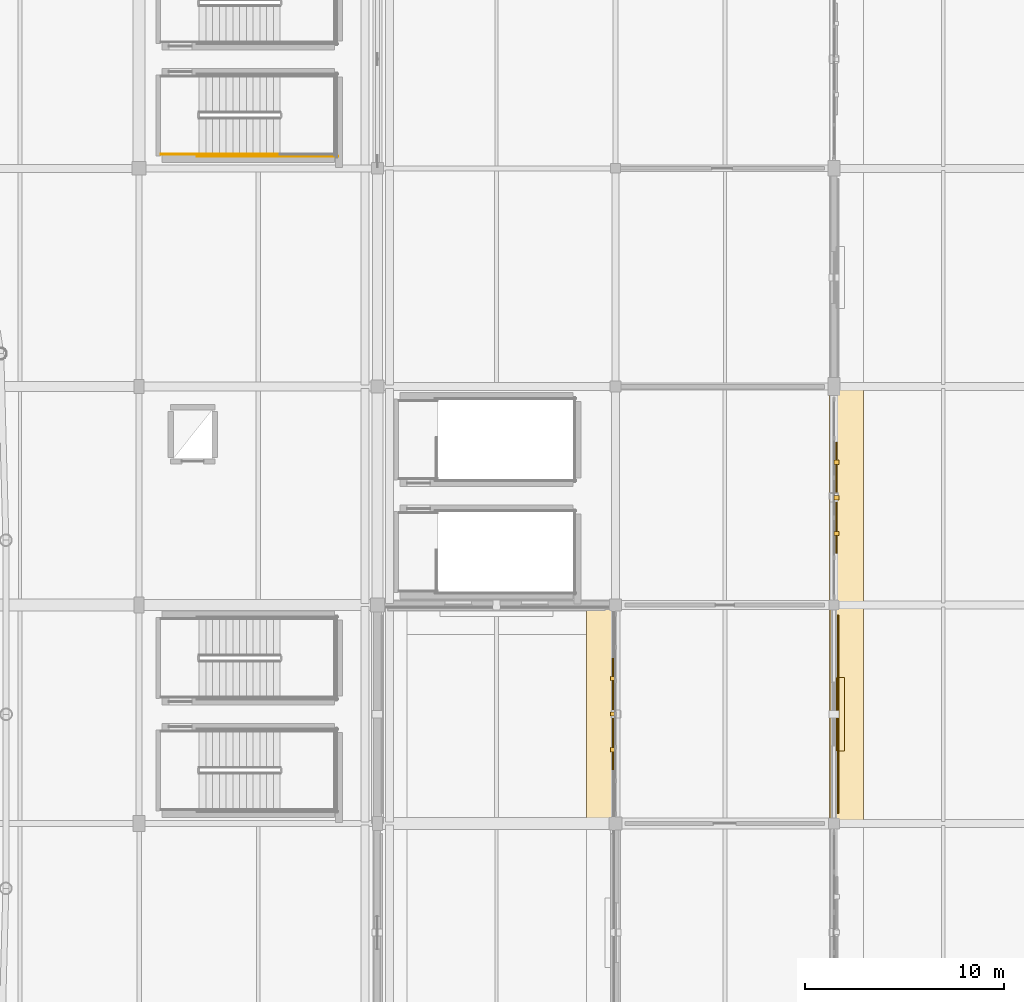
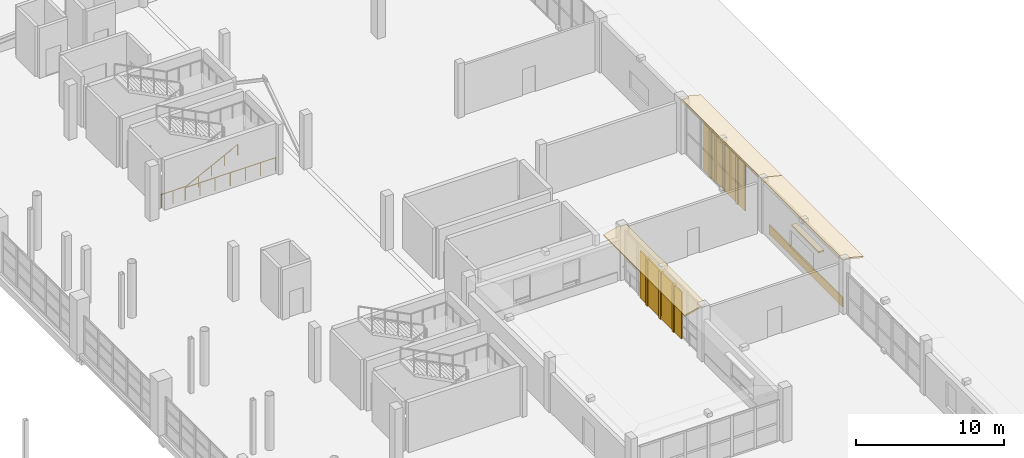
# One storey, part 116 of 118: 11 coverings, 3 railings, 2 shading devices.
"""IFC4 building model written with IfcOpenShell, lengths in metres."""

from ifc_helpers import new_model, si_unit, direction, frame, origin, origin_2d, place, context, subcontext, project, spatial, polyline, rectangle, circle, outline, extrude, material, layer, layer_set, type_object, element, save


model = new_model("IFC4")

# Units and contexts
model_context = context("Model", 3, precision=1e-05, world=origin(), true_north=direction((0.0, 1.0)))
body_context = subcontext(model_context, "Body", "Model", "MODEL_VIEW")
ifc_project = project(units=[si_unit("LENGTHUNIT", "METRE"), si_unit("AREAUNIT", "SQUARE_METRE"), si_unit("VOLUMEUNIT", "CUBIC_METRE"), si_unit("PLANEANGLEUNIT", "RADIAN"), si_unit("MASSUNIT", "GRAM", prefix="KILO")], contexts=[model_context])

# Site, building, storey
site_placement = place(None, origin())
site = spatial("IfcSite", under=ifc_project, at=site_placement, CompositionType="ELEMENT")
building_placement = place(site_placement, origin())
building = spatial("IfcBuilding", under=site, at=building_placement, Name="Luwafu Chhajja Arena", CompositionType="ELEMENT")
storey_placement = place(building_placement, frame((0.0, 0.0, 10.199951171875)))
storey = spatial("IfcBuildingStorey", under=building, at=storey_placement, Name="L02", CompositionType="ELEMENT", Elevation=10.199951171875)

# Coverings
ifc_material_1 = material(Name="Red laterite sandstone cladding", Category="masonry")
ifc_layer_1 = layer(ifc_material_1, 0.074951171875, Name="Red laterite sandstone cladding")
ifc_layer_set_1 = layer_set([ifc_layer_1], Name="Red laterite sandstone cladding")
covering_type = type_object("IfcCoveringType", Name="Dressed Red-Laterite Sandstone Cladding", PredefinedType="CLADDING", material=ifc_layer_set_1)
covering_1_placement = place(storey_placement, frame((176.199951171875, 44.0, 4.4599609375), z_axis=(-0.242502450825, 0.0, 0.970150793096), x_axis=(0.0, 1.0, 0.0)))
element("IfcCovering", 1, at=covering_1_placement, inside=storey, type_object=covering_type, Name="L02 Continuous Sloped Sandstone Chhajja Eave 0173", PredefinedType="CLADDING", context=body_context, shape_type="SweptSolid", body=[
    extrude(outline(polyline([(0.0, 0.0), (11.0, 0.0), (11.0, 1.731619097341133), (0.0, 1.731619097341133), (0.0, 0.0)])), origin(), (0.0, 0.0, -1.0), 0.1298828125),
])
for number, where, z_axis, x_axis, name in (
    (2, (175.8701171875, 47.720458984375, 0.0), (0.0, 0.0, 1.0), (0.0, 1.0, 0.0), "L02 Sandstone Jali Mullion Fin 044"),
    (3, (175.8701171875, 49.512451171875, 0.0), (0.0, 0.0, 1.0), (0.0, 1.0, 0.0), "L02 Sandstone Jali Mullion Fin 044"),
    (4, (175.8701171875, 51.304443359375, 0.0), (0.0, 0.0, 1.0), (0.0, 1.0, 0.0), "L02 Sandstone Jali Mullion Fin 044"),
):
    element("IfcCovering", number, at=place(storey_placement, frame(where, z_axis=z_axis, x_axis=x_axis)), inside=storey, type_object=covering_type, Name=name, PredefinedType="CLADDING", context=body_context, shape_type="SweptSolid", body=[
        extrude(rectangle(XDim=0.219970703125, YDim=0.239990234375, at=origin_2d()), origin(), (0.0, 0.0, 1.0), 3.89501953125),
    ])
covering_2_placement = place(storey_placement, frame((186.800048828125, 44.0, 4.4599609375), z_axis=(0.242502450825, 0.0, 0.970150793096), x_axis=(0.0, 1.0, 0.0)))
element("IfcCovering", 5, at=covering_2_placement, inside=storey, type_object=covering_type, Name="L02 Continuous Sloped Sandstone Chhajja Eave 0174", PredefinedType="CLADDING", context=body_context, shape_type="SweptSolid", body=[
    extrude(outline(polyline([(0.0, 0.0), (11.0, 0.0), (11.0, -1.731619097341133), (0.0, -1.731619097341133), (0.0, 0.0)])), origin(), (0.0, 0.0, -1.0), 0.1298828125),
])
covering_3_placement = place(storey_placement, frame((187.19189453125, 49.5048828125, 0.0), z_axis=(0.0, 0.0, 1.0), x_axis=(0.0, 1.0, 0.0)))
element("IfcCovering", 6, at=covering_3_placement, inside=storey, type_object=covering_type, Name="L02 Red-Laterite Sandstone Plinth Cladding 070", PredefinedType="CLADDING", context=body_context, shape_type="SweptSolid", body=[
    extrude(rectangle(XDim=9.969970703125, YDim=0.0849609375, at=origin_2d()), origin(), (0.0, 0.0, 1.0), 0.760009765625),
])
covering_4_placement = place(storey_placement, frame((187.320068359375, 49.5048828125, 2.5302734375), z_axis=(0.0, 0.0, 1.0), x_axis=(0.0, 1.0, 0.0)))
element("IfcCovering", 7, at=covering_4_placement, inside=storey, type_object=covering_type, Name="L02 Mughal Sandstone Window Chhajja Hood 0066", PredefinedType="CLADDING", context=body_context, shape_type="SweptSolid", body=[
    extrude(rectangle(XDim=3.699951171875, YDim=0.419921875, at=origin_2d()), origin(), (0.0, 0.0, 1.0), 0.139892578125),
])
covering_5_placement = place(storey_placement, frame((186.800048828125, 55.0, 4.4599609375), z_axis=(0.242502450825, 0.0, 0.970150793096), x_axis=(0.0, 1.0, 0.0)))
element("IfcCovering", 8, at=covering_5_placement, inside=storey, type_object=covering_type, Name="L02 Continuous Sloped Sandstone Chhajja Eave 0175", PredefinedType="CLADDING", context=body_context, shape_type="SweptSolid", body=[
    extrude(outline(polyline([(0.0, 0.0), (11.0, 0.0), (11.0, -1.731619097341133), (0.0, -1.731619097341133), (0.0, 0.0)])), origin(), (0.0, 0.0, -1.0), 0.1298828125),
])
for number, where, z_axis, x_axis, name in (
    (9, (187.1298828125, 58.60791015625, 0.0), (0.0, 0.0, 1.0), (0.0, 1.0, 0.0), "L02 Sandstone Jali Mullion Fin 045"),
    (10, (187.1298828125, 60.39990234375, 0.0), (0.0, 0.0, 1.0), (0.0, 1.0, 0.0), "L02 Sandstone Jali Mullion Fin 045"),
    (11, (187.1298828125, 62.19189453125, 0.0), (0.0, 0.0, 1.0), (0.0, 1.0, 0.0), "L02 Sandstone Jali Mullion Fin 045"),
):
    element("IfcCovering", number, at=place(storey_placement, frame(where, z_axis=z_axis, x_axis=x_axis)), inside=storey, type_object=covering_type, Name=name, PredefinedType="CLADDING", context=body_context, shape_type="SweptSolid", body=[
        extrude(rectangle(XDim=0.219970703125, YDim=0.239990234375, at=origin_2d()), origin(), (0.0, 0.0, 1.0), 3.89501953125),
    ])

# Shading devices
ifc_material_2 = material(Name="Pierced buff sandstone jali", Category="masonry")
ifc_layer_2 = layer(ifc_material_2, 0.080078125, Name="Pierced buff sandstone jali")
ifc_layer_set_2 = layer_set([ifc_layer_2], Name="Pierced buff sandstone jali")
shading_device_type = type_object("IfcShadingDeviceType", Name="Pierced Buff-Sandstone Jali Screen", PredefinedType="JALOUSIE", material=ifc_layer_set_2)
for number, where, z_axis, x_axis, name in (
    (12, (175.8701171875, 49.512451171875, 0.0), (0.0, 0.0, 1.0), (0.0, 1.0, 0.0), "L02 Pierced Buff-Sandstone Jali Screen 044"),
    (13, (187.1298828125, 60.39990234375, 0.0), (0.0, 0.0, 1.0), (0.0, 1.0, 0.0), "L02 Pierced Buff-Sandstone Jali Screen 045"),
):
    element("IfcShadingDevice", number, at=place(storey_placement, frame(where, z_axis=z_axis, x_axis=x_axis)), inside=storey, type_object=shading_device_type, Name=name, PredefinedType="JALOUSIE", context=body_context, shape_type="SweptSolid", body=[
        extrude(rectangle(XDim=5.60009765625, YDim=0.080078125, at=origin_2d()), origin(), (0.0, 0.0, 1.0), 3.89501953125),
    ])

# Railings
ifc_material_3 = material(Name="Stainless steel handrail", Category="steel")
railing_type_1 = type_object("IfcRailingType", Name="Stair Pitch Wall Handrail 920", PredefinedType="HANDRAIL", material=ifc_material_3)
railing_1_placement = place(storey_placement, frame((155.02001953125, 77.699951171875, 0.173095703125)))
element("IfcRailing", 14, at=railing_1_placement, inside=storey, type_object=railing_type_1, Name="L02 ST-07 stair handrail 1", PredefinedType="HANDRAIL", context=body_context, shape_type="SweptSolid", body=[
    extrude(circle(Radius=0.02392578125, at=origin_2d()), frame((0.0, 0.0, 0.8759765625), z_axis=(0.891183106714, 0.0, 0.453643770274), x_axis=(0.0, 1.0, 0.0)), (0.0, 0.0, 1.0), 4.578369140625),
    extrude(circle(Radius=0.02099609375, at=origin_2d()), origin(), (0.0, 0.0, 1.0), 0.851806640625),
    extrude(circle(Radius=0.02099609375, at=origin_2d()), frame((1.02001953125, 0.0, 0.519287109375)), (0.0, 0.0, 1.0), 0.851806640625),
    extrude(circle(Radius=0.02099609375, at=origin_2d()), frame((2.0400390625, 0.0, 1.03857421875)), (0.0, 0.0, 1.0), 0.851806640625),
    extrude(circle(Radius=0.02099609375, at=origin_2d()), frame((3.06005859375, 0.0, 1.5576171875)), (0.0, 0.0, 1.0), 0.851806640625),
    extrude(circle(Radius=0.02099609375, at=origin_2d()), frame((4.080078125, 0.0, 2.076904296875)), (0.0, 0.0, 1.0), 0.851806640625),
])
ifc_material_4 = material(Name="Stainless steel balustrade", Category="steel")
railing_type_2 = type_object("IfcRailingType", Name="Stair and Terrace Guard Balustrade 1100", PredefinedType="BALUSTRADE", material=ifc_material_4)
railing_2_placement = place(storey_placement, frame((153.10009765625, 77.699951171875, 0.0)))
element("IfcRailing", 15, at=railing_2_placement, inside=storey, type_object=railing_type_2, Name="L02 ST-07 stair guard 8", PredefinedType="BALUSTRADE", context=body_context, shape_type="SweptSolid", body=[
    extrude(circle(Radius=0.02392578125, at=origin_2d()), frame((0.0, 0.0, 1.076171875), z_axis=(1.0, 0.0, 0.0), x_axis=(0.0, 1.0, 0.0)), (0.0, 0.0, 1.0), 1.919921875),
    extrude(circle(Radius=0.02099609375, at=origin_2d()), origin(), (0.0, 0.0, 1.0), 1.052001953125),
    extrude(circle(Radius=0.02099609375, at=origin_2d()), frame((0.9599609375, 0.0, 0.0)), (0.0, 0.0, 1.0), 1.052001953125),
    extrude(circle(Radius=0.02099609375, at=origin_2d()), frame((1.919921875, 0.0, 0.0)), (0.0, 0.0, 1.0), 1.052001953125),
])
railing_3_placement = place(storey_placement, frame((154.919921875, 77.60009765625, 0.0)))
element("IfcRailing", 16, at=railing_3_placement, inside=storey, type_object=railing_type_2, Name="L02 ST-07 stair guard 10", PredefinedType="BALUSTRADE", context=body_context, shape_type="SweptSolid", body=[
    extrude(circle(Radius=0.02392578125, at=origin_2d()), frame((0.0, 0.0, 1.076171875), z_axis=(1.0, 0.0, 0.0), x_axis=(0.0, 1.0, 0.0)), (0.0, 0.0, 1.0), 7.080078125),
    extrude(circle(Radius=0.02099609375, at=origin_2d()), origin(), (0.0, 0.0, 1.0), 1.052001953125),
    extrude(circle(Radius=0.02099609375, at=origin_2d()), frame((1.179931640625, 0.0, 0.0)), (0.0, 0.0, 1.0), 1.052001953125),
    extrude(circle(Radius=0.02099609375, at=origin_2d()), frame((2.360107421875, 0.0, 0.0)), (0.0, 0.0, 1.0), 1.052001953125),
    extrude(circle(Radius=0.02099609375, at=origin_2d()), frame((3.5400390625, 0.0, 0.0)), (0.0, 0.0, 1.0), 1.052001953125),
    extrude(circle(Radius=0.02099609375, at=origin_2d()), frame((4.719970703125, 0.0, 0.0)), (0.0, 0.0, 1.0), 1.052001953125),
    extrude(circle(Radius=0.02099609375, at=origin_2d()), frame((5.900146484375, 0.0, 0.0)), (0.0, 0.0, 1.0), 1.052001953125),
    extrude(circle(Radius=0.02099609375, at=origin_2d()), frame((7.080078125, 0.0, 0.0)), (0.0, 0.0, 1.0), 1.052001953125),
])

save(model, "model.ifc")
